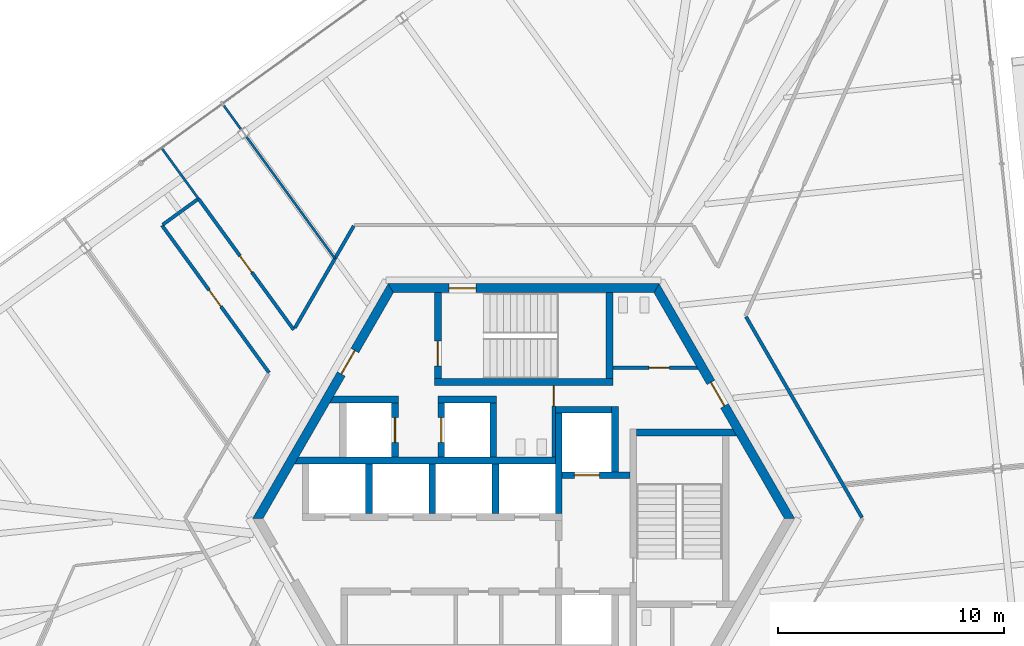
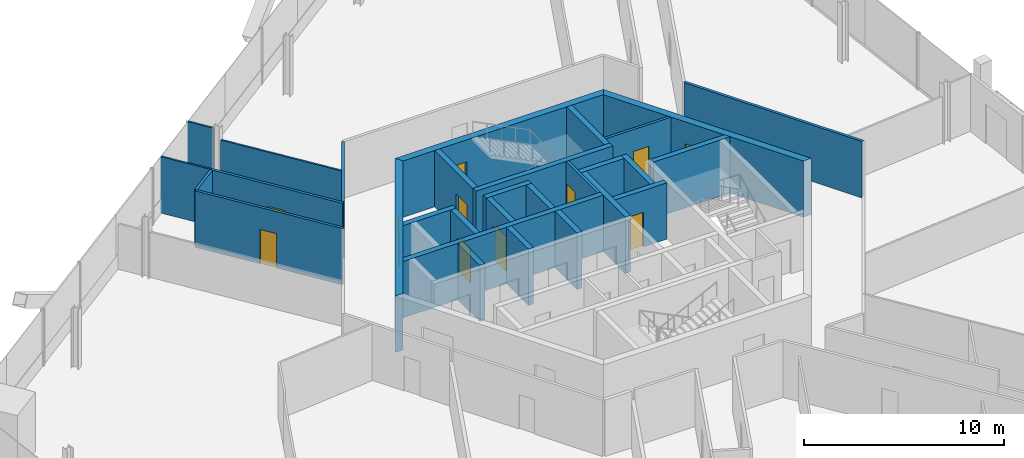
# One storey, part 13 of 18: 30 walls, 11 doors, 11 openings.
"""IFC4 building model written with IfcOpenShell, lengths in metres."""

from ifc_helpers import new_model, si_unit, direction, frame, frame_2d, origin, place, context, subcontext, project, spatial, polyline, rectangle, outline, extrude, source, transform, mapped, material, layer, layer_set, type_object, element, fill, save


model = new_model("IFC4")

# Units and contexts
model_context = context("Model", 3, precision=1e-05, world=origin(), true_north=direction((0.0, 1.0)))
body_context = subcontext(model_context, "Body", "Model", "MODEL_VIEW")
ifc_project = project(units=[si_unit("LENGTHUNIT", "METRE"), si_unit("AREAUNIT", "SQUARE_METRE"), si_unit("VOLUMEUNIT", "CUBIC_METRE"), si_unit("PLANEANGLEUNIT", "RADIAN"), si_unit("MASSUNIT", "GRAM", prefix="KILO")], contexts=[model_context])

# Site, building, storey
site_placement = place(None, origin())
site = spatial("IfcSite", under=ifc_project, at=site_placement, CompositionType="ELEMENT")
building_placement = place(site_placement, origin())
building = spatial("IfcBuilding", under=site, at=building_placement, Name="Triune Harvest Tower", CompositionType="ELEMENT")
storey_placement = place(building_placement, frame((0.0, 0.0, 83.699951171875)))
storey = spatial("IfcBuildingStorey", under=building, at=storey_placement, Name="L20", CompositionType="ELEMENT", Elevation=83.699951171875)

# Wall
ifc_material_1 = material(Name="Gypsum board on steel studs", Category="steel")
ifc_layer_1 = layer(ifc_material_1, 0.10009765625)
ifc_layer_set_1 = layer_set([ifc_layer_1], Name="Gypsum board on steel studs")
wall_type_1 = type_object("IfcWallType", Name="Partition 100 mm", PredefinedType="PARTITIONING", material=ifc_layer_set_1)
wall_1_placement = place(storey_placement, frame((-12.2880859375, 16.9130859375, 0.0), z_axis=(0.0, 0.0, 1.0), x_axis=(0.587780699175, -0.809020302389, 0.0)))
element("IfcWall", 1, at=wall_1_placement, inside=storey, type_object=wall_type_1, Name="Partition L20 017", PredefinedType="PARTITIONING", context=body_context, shape_type="SweptSolid", body=[
    extrude(rectangle(XDim=6.68408203125, YDim=0.10009765625, at=frame_2d((3.342041015625, 0.0))), origin(), (0.0, 0.0, 1.0), 2.827880859375),
])

# Wall, opening, door
ifc_material_2 = material(Name="Concrete 70 MPa", Category="concrete")
ifc_layer_2 = layer(ifc_material_2, 0.39990234375)
ifc_layer_set_2 = layer_set([ifc_layer_2], Name="Concrete 70 MPa")
wall_type_2 = type_object("IfcWallType", Name="Core wall 400", PredefinedType="SHEAR", material=ifc_layer_set_2)
shared_shape_1 = source(origin(), body_context, "Body", "SweptSolid", [
    extrude(outline(polyline([(-0.115478515625, -0.199951171875), (11.884521484375, -0.199951171875), (11.653564453125, 0.199951171875), (0.115478515625, 0.199951171875), (-0.115478515625, -0.199951171875)])), origin(), (0.0, 0.0, 1.0), 3.43994140625),
])
wall_2_placement = place(storey_placement, frame((11.76904296875, 0.0, 0.0), z_axis=(0.0, 0.0, 1.0), x_axis=(-0.499996592174, 0.866027371285, 0.0)))
wall_2 = element("IfcWall", 2, at=wall_2_placement, inside=storey, type_object=wall_type_2, Name="Hexagon 0 wall", PredefinedType="SHEAR", context=body_context, shape_type="MappedRepresentation", body=[
    mapped(shared_shape_1, transform((0.0, 0.0, 0.0), scale=1.0)),
])
opening_1_placement = place(wall_2_placement, frame((5.75048828125, 0.0, 0.0)))
opening_1 = element("IfcOpeningElement", 3, at=opening_1_placement, cuts=wall_2, Name="Opening CD-WCP", PredefinedType="OPENING", context=body_context, shape_type="SweptSolid", body=[
    extrude(rectangle(XDim=1.199951171875, YDim=2.10009765625, at=frame_2d((0.60009765625, 1.050048828125))), frame((0.0, 0.2099609375, 0.0), z_axis=(0.0, -1.0, 0.0), x_axis=(1.0, 0.0, 0.0)), (0.0, 0.0, 1.0), 0.419921875),
])
ifc_material_3 = material(Name="Steel S235", Category="steel")
door_type_1 = type_object("IfcDoorType", Name="Lobby door 1200 FD120", OperationType="SINGLE_SWING_LEFT", PredefinedType="DOOR", material=ifc_material_3)
door_1_placement = place(opening_1_placement, frame((1.199951171875, 0.0, 0.0), z_axis=(0.0, 0.0, 1.0), x_axis=(-1.0, 0.0, 0.0)))
door_1 = element("IfcDoor", 4, at=door_1_placement, inside=storey, type_object=door_type_1, Name="Door CD-WCP", OperationType="SINGLE_SWING_RIGHT", OverallHeight=2.10009765625, OverallWidth=1.199951171875, PredefinedType="DOOR", context=body_context, shape_type="SweptSolid", body=[
    extrude(rectangle(XDim=1.199951171875, YDim=2.10009765625, at=frame_2d((0.60009765625, 1.050048828125))), frame((0.0, 0.02490234375, 0.0), z_axis=(0.0, -1.0, 0.0), x_axis=(1.0, 0.0, 0.0)), (0.0, 0.0, 1.0), 0.050048828125),
])
fill(opening_1, door_1)

wall_3_placement = place(storey_placement, frame((5.884521484375, 10.1923828125, 0.0), z_axis=(0.0, 0.0, 1.0), x_axis=(-1.0, 0.0, 0.0)))
wall_3 = element("IfcWall", 5, at=wall_3_placement, inside=storey, type_object=wall_type_2, Name="Hexagon 1 wall", PredefinedType="SHEAR", context=body_context, shape_type="MappedRepresentation", body=[
    mapped(shared_shape_1, transform((0.0, 0.0, 0.0), scale=1.0)),
])
opening_2_placement = place(wall_3_placement, frame((7.984619140625, 0.0, 0.0)))
opening_2 = element("IfcOpeningElement", 6, at=opening_2_placement, cuts=wall_3, Name="Opening CD-S1P", PredefinedType="OPENING", context=body_context, shape_type="SweptSolid", body=[
    extrude(rectangle(XDim=1.199951171875, YDim=2.10009765625, at=frame_2d((0.60009765625, 1.050048828125))), frame((0.0, 0.2099609375, 0.0), z_axis=(0.0, -1.0, 0.0), x_axis=(1.0, 0.0, 0.0)), (0.0, 0.0, 1.0), 0.419921875),
])
ifc_material_4 = material(Name="Steel S235", Category="steel")
door_type_2 = type_object("IfcDoorType", Name="Stair door 1200 FD120", OperationType="SINGLE_SWING_LEFT", PredefinedType="DOOR", material=ifc_material_4)
door_2_placement = place(opening_2_placement, frame((1.199951171875, 0.0, 0.0), z_axis=(0.0, 0.0, 1.0), x_axis=(-1.0, 0.0, 0.0)))
door_2 = element("IfcDoor", 7, at=door_2_placement, inside=storey, type_object=door_type_2, Name="Door CD-S1P", OperationType="SINGLE_SWING_RIGHT", OverallHeight=2.10009765625, OverallWidth=1.199951171875, PredefinedType="DOOR", context=body_context, shape_type="SweptSolid", body=[
    extrude(rectangle(XDim=1.199951171875, YDim=2.10009765625, at=frame_2d((0.60009765625, 1.050048828125))), frame((0.0, 0.02490234375, 0.0), z_axis=(0.0, -1.0, 0.0), x_axis=(1.0, 0.0, 0.0)), (0.0, 0.0, 1.0), 0.050048828125),
])
fill(opening_2, door_2)

wall_4_placement = place(storey_placement, frame((-5.884521484375, 10.1923828125, 0.0), z_axis=(0.0, 0.0, 1.0), x_axis=(-0.499996592174, -0.866027371285, 0.0)))
wall_4 = element("IfcWall", 8, at=wall_4_placement, inside=storey, type_object=wall_type_2, Name="Hexagon 2 wall", PredefinedType="SHEAR", context=body_context, shape_type="MappedRepresentation", body=[
    mapped(shared_shape_1, transform((0.0, 0.0, 0.0), scale=1.0)),
])
opening_3_placement = place(wall_4_placement, frame((3.1845703125, 0.0, 0.0)))
opening_3 = element("IfcOpeningElement", 9, at=opening_3_placement, cuts=wall_4, Name="Opening CD-SVP", PredefinedType="OPENING", context=body_context, shape_type="SweptSolid", body=[
    extrude(rectangle(XDim=1.199951171875, YDim=2.10009765625, at=frame_2d((0.60009765625, 1.050048828125))), frame((0.0, 0.2099609375, 0.0), z_axis=(0.0, -1.0, 0.0), x_axis=(1.0, 0.0, 0.0)), (0.0, 0.0, 1.0), 0.419921875),
])
ifc_material_5 = material(Name="Steel S235", Category="steel")
door_type_3 = type_object("IfcDoorType", Name="Service door 1200 FD120", OperationType="SINGLE_SWING_LEFT", PredefinedType="DOOR", material=ifc_material_5)
door_3_placement = place(opening_3_placement, frame((1.199951171875, 0.0, 0.0), z_axis=(0.0, 0.0, 1.0), x_axis=(-1.0, 0.0, 0.0)))
door_3 = element("IfcDoor", 10, at=door_3_placement, inside=storey, type_object=door_type_3, Name="Door CD-SVP", OperationType="SINGLE_SWING_RIGHT", OverallHeight=2.10009765625, OverallWidth=1.199951171875, PredefinedType="DOOR", context=body_context, shape_type="SweptSolid", body=[
    extrude(rectangle(XDim=1.199951171875, YDim=2.10009765625, at=frame_2d((0.60009765625, 1.050048828125))), frame((0.0, 0.02490234375, 0.0), z_axis=(0.0, -1.0, 0.0), x_axis=(1.0, 0.0, 0.0)), (0.0, 0.0, 1.0), 0.050048828125),
])
fill(opening_3, door_3)

# Walls
ifc_material_6 = material(Name="Concrete 70 MPa", Category="concrete")
ifc_layer_3 = layer(ifc_material_6, 0.300048828125)
ifc_layer_set_3 = layer_set([ifc_layer_3], Name="Concrete 70 MPa")
wall_type_3 = type_object("IfcWallType", Name="Core wall 300", PredefinedType="SHEAR", material=ifc_layer_set_3)
shared_shape_2 = source(origin(), body_context, "Body", "SweptSolid", [
    extrude(outline(polyline([(11.199951171875, -0.14990234375), (-0.34912109375, -0.14990234375), (-0.17578125, 0.14990234375), (11.199951171875, 0.14990234375), (11.199951171875, -0.14990234375)])), origin(), (0.0, 0.0, 1.0), 3.43994140625),
])
wall_5_placement = place(storey_placement, frame((-9.800048828125, 2.56005859375, 0.0), z_axis=(0.0, 0.0, 1.0), x_axis=(1.0, 0.0, 0.0)))
element("IfcWall", 11, at=wall_5_placement, inside=storey, type_object=wall_type_3, Name="North back wall", PredefinedType="SHEAR", context=body_context, shape_type="MappedRepresentation", body=[
    mapped(shared_shape_2, transform((0.0, 0.0, 0.0), scale=1.0)),
])
shared_shape_3 = source(origin(), body_context, "Body", "SweptSolid", [
    extrude(rectangle(XDim=2.5, YDim=0.300048828125, at=frame_2d((1.25, 0.0))), origin(), (0.0, 0.0, 1.0), 3.43994140625),
])
wall_6_placement = place(storey_placement, frame((1.39990234375, 4.81005859375, 0.0), z_axis=(0.0, 0.0, 1.0), x_axis=(1.0, 0.0, 0.0)))
element("IfcWall", 12, at=wall_6_placement, inside=storey, type_object=wall_type_3, Name="Ff1 back wall", PredefinedType="SHEAR", context=body_context, shape_type="MappedRepresentation", body=[
    mapped(shared_shape_3, transform((0.0, 0.0, 0.0), scale=1.0)),
])
shared_shape_4 = source(origin(), body_context, "Body", "SweptSolid", [
    extrude(rectangle(XDim=4.449951171875, YDim=0.300048828125, at=frame_2d((2.22509765625, 0.0))), origin(), (0.0, 0.0, 1.0), 3.43994140625),
])
wall_7_placement = place(storey_placement, frame((1.550048828125, 0.2099609375, 0.0), z_axis=(0.0, 0.0, 1.0), x_axis=(0.0, 1.0, 0.0)))
element("IfcWall", 13, at=wall_7_placement, inside=storey, type_object=wall_type_3, Name="Ff1 west wall", PredefinedType="SHEAR", context=body_context, shape_type="MappedRepresentation", body=[
    mapped(shared_shape_4, transform((0.0, 0.0, 0.0), scale=1.0)),
])

# Wall, opening, door
shared_shape_5 = source(origin(), body_context, "Body", "SweptSolid", [
    extrude(rectangle(XDim=3.0, YDim=0.300048828125, at=frame_2d((1.5, 0.0))), origin(), (0.0, 0.0, 1.0), 3.43994140625),
])
wall_8_placement = place(storey_placement, frame((1.699951171875, 1.909912109375, 0.0), z_axis=(0.0, 0.0, 1.0), x_axis=(1.0, 0.0, 0.0)))
wall_8 = element("IfcWall", 14, at=wall_8_placement, inside=storey, type_object=wall_type_3, Name="Ff1 front wall", PredefinedType="SHEAR", context=body_context, shape_type="MappedRepresentation", body=[
    mapped(shared_shape_5, transform((0.0, 0.0, 0.0), scale=1.0)),
])
opening_4_placement = place(wall_8_placement, frame((0.550048828125, 0.0, 0.0)))
opening_4 = element("IfcOpeningElement", 15, at=opening_4_placement, cuts=wall_8, Name="Opening LD-FF1-20", PredefinedType="OPENING", context=body_context, shape_type="SweptSolid", body=[
    extrude(rectangle(XDim=1.10009765625, YDim=2.10009765625, at=frame_2d((0.550048828125, 1.050048828125))), frame((0.0, 0.16015625, 0.0), z_axis=(0.0, -1.0, 0.0), x_axis=(1.0, 0.0, 0.0)), (0.0, 0.0, 1.0), 0.320068359375),
])
ifc_material_7 = material(Name="Stainless steel AISI 304", Category="steel")
door_type_4 = type_object("IfcDoorType", Name="Landing door 1100 x 2100", OperationType="DOUBLE_DOOR_SLIDING", PredefinedType="DOOR", material=ifc_material_7)
door_4_placement = place(opening_4_placement, origin())
door_4 = element("IfcDoor", 16, at=door_4_placement, inside=storey, type_object=door_type_4, Name="Door LD-FF1-20", OperationType="DOUBLE_DOOR_SLIDING", OverallHeight=2.10009765625, OverallWidth=1.10009765625, PredefinedType="DOOR", context=body_context, shape_type="SweptSolid", body=[
    extrude(rectangle(XDim=1.10009765625, YDim=2.10009765625, at=frame_2d((0.550048828125, 1.050048828125))), frame((0.0, 0.02490234375, 0.0), z_axis=(0.0, -1.0, 0.0), x_axis=(1.0, 0.0, 0.0)), (0.0, 0.0, 1.0), 0.050048828125),
])
fill(opening_4, door_4)

# Walls
shared_shape_6 = source(origin(), body_context, "Body", "SweptSolid", [
    extrude(rectangle(XDim=2.89990234375, YDim=0.300048828125, at=frame_2d((1.449951171875, 0.0))), origin(), (0.0, 0.0, 1.0), 3.43994140625),
])
wall_9_placement = place(storey_placement, frame((4.050048828125, 2.06005859375, 0.0), z_axis=(0.0, 0.0, 1.0), x_axis=(0.0, 1.0, 0.0)))
element("IfcWall", 17, at=wall_9_placement, inside=storey, type_object=wall_type_3, Name="Ff1 east wall", PredefinedType="SHEAR", context=body_context, shape_type="MappedRepresentation", body=[
    mapped(shared_shape_6, transform((0.0, 0.0, 0.0), scale=1.0)),
])
shared_shape_7 = source(origin(), body_context, "Body", "SweptSolid", [
    extrude(rectangle(XDim=2.199951171875, YDim=0.300048828125, at=frame_2d((1.10009765625, 0.0))), origin(), (0.0, 0.0, 1.0), 3.43994140625),
])
for number, where, z_axis, x_axis, name in (
    (18, (-6.85009765625, 0.2099609375, 0.0), (0.0, 0.0, 1.0), (0.0, 1.0, 0.0), "North cross 1 wall"),
    (19, (-4.050048828125, 0.2099609375, 0.0), (0.0, 0.0, 1.0), (0.0, 1.0, 0.0), "North cross 2 wall"),
    (20, (-1.25, 0.2099609375, 0.0), (0.0, 0.0, 1.0), (0.0, 1.0, 0.0), "North cross 3 wall"),
):
    element("IfcWall", number, at=place(storey_placement, frame(where, z_axis=z_axis, x_axis=x_axis)), inside=storey, type_object=wall_type_3, Name=name, PredefinedType="SHEAR", context=body_context, shape_type="MappedRepresentation", body=[
        mapped(shared_shape_7, transform((0.0, 0.0, 0.0), scale=1.0)),
    ])
shared_shape_8 = source(origin(), body_context, "Body", "SweptSolid", [
    extrude(outline(polyline([(0.0, -0.14990234375), (0.0, 0.14990234375), (4.260009765625, 0.14990234375), (4.43310546875, -0.14990234375), (0.0, -0.14990234375)])), origin(), (0.0, 0.0, 1.0), 3.43994140625),
])
wall_10_placement = place(storey_placement, frame((5.0, 3.800048828125, 0.0), z_axis=(0.0, 0.0, 1.0), x_axis=(1.0, 0.0, 0.0)))
element("IfcWall", 21, at=wall_10_placement, inside=storey, type_object=wall_type_3, Name="Stair e north wall", PredefinedType="SHEAR", context=body_context, shape_type="MappedRepresentation", body=[
    mapped(shared_shape_8, transform((0.0, 0.0, 0.0), scale=1.0)),
])
shared_shape_9 = source(origin(), body_context, "Body", "SweptSolid", [
    extrude(rectangle(XDim=7.89990234375, YDim=0.300048828125, at=frame_2d((3.949951171875, 0.0))), origin(), (0.0, 0.0, 1.0), 3.43994140625),
])
wall_11_placement = place(storey_placement, frame((-3.949951171875, 6.0400390625, 0.0), z_axis=(0.0, 0.0, 1.0), x_axis=(1.0, 0.0, 0.0)))
element("IfcWall", 22, at=wall_11_placement, inside=storey, type_object=wall_type_3, Name="Stair n south wall", PredefinedType="SHEAR", context=body_context, shape_type="MappedRepresentation", body=[
    mapped(shared_shape_9, transform((0.0, 0.0, 0.0), scale=1.0)),
])

# Wall, opening, door
shared_shape_10 = source(origin(), body_context, "Body", "SweptSolid", [
    extrude(outline(polyline([(0.0, -0.14990234375), (0.0, 0.14990234375), (3.80419921875, 0.14990234375), (3.80419921875, -0.14990234375), (0.0, -0.14990234375)])), origin(), (0.0, 0.0, 1.0), 3.43994140625),
])
wall_12_placement = place(storey_placement, frame((-3.800048828125, 6.18994140625, 0.0), z_axis=(0.0, 0.0, 1.0), x_axis=(0.0, 1.0, 0.0)))
wall_12 = element("IfcWall", 23, at=wall_12_placement, inside=storey, type_object=wall_type_3, Name="Stair n west wall", PredefinedType="SHEAR", context=body_context, shape_type="MappedRepresentation", body=[
    mapped(shared_shape_10, transform((0.0, 0.0, 0.0), scale=1.0)),
])
opening_5_placement = place(wall_12_placement, frame((0.56005859375, 0.0, 0.0)))
opening_5 = element("IfcOpeningElement", 24, at=opening_5_placement, cuts=wall_12, Name="Opening CD-S1L", PredefinedType="OPENING", context=body_context, shape_type="SweptSolid", body=[
    extrude(rectangle(XDim=1.10009765625, YDim=2.10009765625, at=frame_2d((0.550048828125, 1.050048828125))), frame((0.0, 0.16015625, 0.0), z_axis=(0.0, -1.0, 0.0), x_axis=(1.0, 0.0, 0.0)), (0.0, 0.0, 1.0), 0.320068359375),
])
ifc_material_8 = material(Name="Steel S235", Category="steel")
door_type_5 = type_object("IfcDoorType", Name="Stair door 1100 FD120", OperationType="SINGLE_SWING_LEFT", PredefinedType="DOOR", material=ifc_material_8)
door_5_placement = place(opening_5_placement, frame((1.10009765625, 0.0, 0.0), z_axis=(0.0, 0.0, 1.0), x_axis=(-1.0, 0.0, 0.0)))
door_5 = element("IfcDoor", 25, at=door_5_placement, inside=storey, type_object=door_type_5, Name="Door CD-S1L", OperationType="SINGLE_SWING_RIGHT", OverallHeight=2.10009765625, OverallWidth=1.10009765625, PredefinedType="DOOR", context=body_context, shape_type="SweptSolid", body=[
    extrude(rectangle(XDim=1.10009765625, YDim=2.10009765625, at=frame_2d((0.550048828125, 1.050048828125))), frame((0.0, 0.02490234375, 0.0), z_axis=(0.0, -1.0, 0.0), x_axis=(1.0, 0.0, 0.0)), (0.0, 0.0, 1.0), 0.050048828125),
])
fill(opening_5, door_5)

# Walls
wall_13_placement = place(storey_placement, frame((3.800048828125, 6.18994140625, 0.0), z_axis=(0.0, 0.0, 1.0), x_axis=(0.0, 1.0, 0.0)))
element("IfcWall", 26, at=wall_13_placement, inside=storey, type_object=wall_type_3, Name="Stair n east wall", PredefinedType="SHEAR", context=body_context, shape_type="MappedRepresentation", body=[
    mapped(shared_shape_10, transform((0.0, 0.0, 0.0), scale=1.0)),
])
shared_shape_11 = source(origin(), body_context, "Body", "SweptSolid", [
    extrude(outline(polyline([(2.60009765625, -0.14990234375), (-0.440185546875, -0.14990234375), (-0.26708984375, 0.14990234375), (2.60009765625, 0.14990234375), (2.60009765625, -0.14990234375)])), origin(), (0.0, 0.0, 1.0), 3.43994140625),
])
wall_14_placement = place(storey_placement, frame((-8.14990234375, 5.260009765625, 0.0), z_axis=(0.0, 0.0, 1.0), x_axis=(1.0, 0.0, 0.0)))
element("IfcWall", 27, at=wall_14_placement, inside=storey, type_object=wall_type_3, Name="Sv1 north wall", PredefinedType="SHEAR", context=body_context, shape_type="MappedRepresentation", body=[
    mapped(shared_shape_11, transform((0.0, 0.0, 0.0), scale=1.0)),
])

# Wall, opening, door
shared_shape_12 = source(origin(), body_context, "Body", "SweptSolid", [
    extrude(rectangle(XDim=2.400146484375, YDim=0.300048828125, at=frame_2d((1.2001953125, 0.0))), origin(), (0.0, 0.0, 1.0), 3.43994140625),
])
wall_15_placement = place(storey_placement, frame((-5.699951171875, 2.7099609375, 0.0), z_axis=(0.0, 0.0, 1.0), x_axis=(0.0, 1.0, 0.0)))
wall_15 = element("IfcWall", 28, at=wall_15_placement, inside=storey, type_object=wall_type_3, Name="Sv1 east wall", PredefinedType="SHEAR", context=body_context, shape_type="MappedRepresentation", body=[
    mapped(shared_shape_12, transform((0.0, 0.0, 0.0), scale=1.0)),
])
opening_6_placement = place(wall_15_placement, frame((0.64990234375, 0.0, 0.0)))
opening_6 = element("IfcOpeningElement", 29, at=opening_6_placement, cuts=wall_15, Name="Opening LD-SV1-20", PredefinedType="OPENING", context=body_context, shape_type="SweptSolid", body=[
    extrude(rectangle(XDim=1.10009765625, YDim=2.10009765625, at=frame_2d((0.550048828125, 1.050048828125))), frame((0.0, 0.16015625, 0.0), z_axis=(0.0, -1.0, 0.0), x_axis=(1.0, 0.0, 0.0)), (0.0, 0.0, 1.0), 0.320068359375),
])
door_6_placement = place(opening_6_placement, origin())
door_6 = element("IfcDoor", 30, at=door_6_placement, inside=storey, type_object=door_type_4, Name="Door LD-SV1-20", OperationType="DOUBLE_DOOR_SLIDING", OverallHeight=2.10009765625, OverallWidth=1.10009765625, PredefinedType="DOOR", context=body_context, shape_type="SweptSolid", body=[
    extrude(rectangle(XDim=1.10009765625, YDim=2.10009765625, at=frame_2d((0.550048828125, 1.050048828125))), frame((0.0, 0.02490234375, 0.0), z_axis=(0.0, -1.0, 0.0), x_axis=(1.0, 0.0, 0.0)), (0.0, 0.0, 1.0), 0.050048828125),
])
fill(opening_6, door_6)

wall_16_placement = place(storey_placement, frame((-3.64990234375, 2.7099609375, 0.0), z_axis=(0.0, 0.0, 1.0), x_axis=(0.0, 1.0, 0.0)))
wall_16 = element("IfcWall", 31, at=wall_16_placement, inside=storey, type_object=wall_type_3, Name="Sv2 west wall", PredefinedType="SHEAR", context=body_context, shape_type="MappedRepresentation", body=[
    mapped(shared_shape_12, transform((0.0, 0.0, 0.0), scale=1.0)),
])
opening_7_placement = place(wall_16_placement, frame((0.64990234375, 0.0, 0.0)))
opening_7 = element("IfcOpeningElement", 32, at=opening_7_placement, cuts=wall_16, Name="Opening LD-SV2-20", PredefinedType="OPENING", context=body_context, shape_type="SweptSolid", body=[
    extrude(rectangle(XDim=1.10009765625, YDim=2.10009765625, at=frame_2d((0.550048828125, 1.050048828125))), frame((0.0, 0.16015625, 0.0), z_axis=(0.0, -1.0, 0.0), x_axis=(1.0, 0.0, 0.0)), (0.0, 0.0, 1.0), 0.320068359375),
])
door_7_placement = place(opening_7_placement, origin())
door_7 = element("IfcDoor", 33, at=door_7_placement, inside=storey, type_object=door_type_4, Name="Door LD-SV2-20", OperationType="DOUBLE_DOOR_SLIDING", OverallHeight=2.10009765625, OverallWidth=1.10009765625, PredefinedType="DOOR", context=body_context, shape_type="SweptSolid", body=[
    extrude(rectangle(XDim=1.10009765625, YDim=2.10009765625, at=frame_2d((0.550048828125, 1.050048828125))), frame((0.0, 0.02490234375, 0.0), z_axis=(0.0, -1.0, 0.0), x_axis=(1.0, 0.0, 0.0)), (0.0, 0.0, 1.0), 0.050048828125),
])
fill(opening_7, door_7)

# Walls
wall_17_placement = place(storey_placement, frame((-1.35009765625, 2.7099609375, 0.0), z_axis=(0.0, 0.0, 1.0), x_axis=(0.0, 1.0, 0.0)))
element("IfcWall", 34, at=wall_17_placement, inside=storey, type_object=wall_type_3, Name="Sv2 east wall", PredefinedType="SHEAR", context=body_context, shape_type="MappedRepresentation", body=[
    mapped(shared_shape_12, transform((0.0, 0.0, 0.0), scale=1.0)),
])
shared_shape_13 = source(origin(), body_context, "Body", "SweptSolid", [
    extrude(rectangle(XDim=2.60009765625, YDim=0.300048828125, at=frame_2d((1.300048828125, 0.0))), origin(), (0.0, 0.0, 1.0), 3.43994140625),
])
wall_18_placement = place(storey_placement, frame((-3.800048828125, 5.260009765625, 0.0), z_axis=(0.0, 0.0, 1.0), x_axis=(1.0, 0.0, 0.0)))
element("IfcWall", 35, at=wall_18_placement, inside=storey, type_object=wall_type_3, Name="Sv2 north wall", PredefinedType="SHEAR", context=body_context, shape_type="MappedRepresentation", body=[
    mapped(shared_shape_13, transform((0.0, 0.0, 0.0), scale=1.0)),
])

# Wall, opening, door
ifc_material_9 = material(Name="Concrete masonry unit", Category="masonry")
ifc_layer_4 = layer(ifc_material_9, 0.14990234375)
ifc_layer_set_4 = layer_set([ifc_layer_4], Name="Concrete masonry unit")
wall_type_4 = type_object("IfcWallType", Name="Block partition 150 unrated", PredefinedType="PARTITIONING", material=ifc_layer_set_4)
shared_shape_14 = source(origin(), body_context, "Body", "SweptSolid", [
    extrude(rectangle(XDim=3.179931640625, YDim=0.14990234375, at=frame_2d((1.58984375, 0.0))), origin(), (0.0, 0.0, 1.0), 3.43994140625),
])
wall_19_placement = place(storey_placement, frame((1.324951171875, 2.7099609375, 0.0), z_axis=(0.0, 0.0, 1.0), x_axis=(0.0, 1.0, 0.0)))
wall_19 = element("IfcWall", 36, at=wall_19_placement, inside=storey, type_object=wall_type_4, Name="Wc men east wall", PredefinedType="PARTITIONING", context=body_context, shape_type="MappedRepresentation", body=[
    mapped(shared_shape_14, transform((0.0, 0.0, 0.0), scale=1.0)),
])
opening_8_placement = place(wall_19_placement, frame((2.264892578125, 0.0, 0.0)))
opening_8 = element("IfcOpeningElement", 37, at=opening_8_placement, cuts=wall_19, Name="Opening CD-WM", PredefinedType="OPENING", context=body_context, shape_type="SweptSolid", body=[
    extrude(rectangle(XDim=0.89990234375, YDim=2.10009765625, at=frame_2d((0.449951171875, 1.050048828125))), frame((0.0, 0.0849609375, 0.0), z_axis=(0.0, -1.0, 0.0), x_axis=(1.0, 0.0, 0.0)), (0.0, 0.0, 1.0), 0.169921875),
])
ifc_material_10 = material(Name="Timber C24", Category="wood")
door_type_6 = type_object("IfcDoorType", Name="WC door 900", OperationType="SINGLE_SWING_LEFT", PredefinedType="DOOR", material=ifc_material_10)
door_8_placement = place(opening_8_placement, origin())
door_8 = element("IfcDoor", 38, at=door_8_placement, inside=storey, type_object=door_type_6, Name="Door CD-WM", OperationType="SINGLE_SWING_LEFT", OverallHeight=2.10009765625, OverallWidth=0.89990234375, PredefinedType="DOOR", context=body_context, shape_type="SweptSolid", body=[
    extrude(rectangle(XDim=0.89990234375, YDim=2.10009765625, at=frame_2d((0.449951171875, 1.050048828125))), frame((0.0, 0.02490234375, 0.0), z_axis=(0.0, -1.0, 0.0), x_axis=(1.0, 0.0, 0.0)), (0.0, 0.0, 1.0), 0.050048828125),
])
fill(opening_8, door_8)

shared_shape_15 = source(origin(), body_context, "Body", "SweptSolid", [
    extrude(outline(polyline([(0.0, -0.074951171875), (0.0, 0.074951171875), (3.693359375, 0.074951171875), (3.77978515625, -0.074951171875), (0.0, -0.074951171875)])), origin(), (0.0, 0.0, 1.0), 3.43994140625),
])
wall_20_placement = place(storey_placement, frame((3.949951171875, 6.675048828125, 0.0), z_axis=(0.0, 0.0, 1.0), x_axis=(1.0, 0.0, 0.0)))
wall_20 = element("IfcWall", 39, at=wall_20_placement, inside=storey, type_object=wall_type_4, Name="Wc women south wall", PredefinedType="PARTITIONING", context=body_context, shape_type="MappedRepresentation", body=[
    mapped(shared_shape_15, transform((0.0, 0.0, 0.0), scale=1.0)),
])
opening_9_placement = place(wall_20_placement, frame((1.60009765625, 0.0, 0.0)))
opening_9 = element("IfcOpeningElement", 40, at=opening_9_placement, cuts=wall_20, Name="Opening CD-WW", PredefinedType="OPENING", context=body_context, shape_type="SweptSolid", body=[
    extrude(rectangle(XDim=0.89990234375, YDim=2.10009765625, at=frame_2d((0.449951171875, 1.050048828125))), frame((0.0, 0.0849609375, 0.0), z_axis=(0.0, -1.0, 0.0), x_axis=(1.0, 0.0, 0.0)), (0.0, 0.0, 1.0), 0.169921875),
])
door_9_placement = place(opening_9_placement, origin())
door_9 = element("IfcDoor", 41, at=door_9_placement, inside=storey, type_object=door_type_6, Name="Door CD-WW", OperationType="SINGLE_SWING_LEFT", OverallHeight=2.10009765625, OverallWidth=0.89990234375, PredefinedType="DOOR", context=body_context, shape_type="SweptSolid", body=[
    extrude(rectangle(XDim=0.89990234375, YDim=2.10009765625, at=frame_2d((0.449951171875, 1.050048828125))), frame((0.0, 0.02490234375, 0.0), z_axis=(0.0, -1.0, 0.0), x_axis=(1.0, 0.0, 0.0)), (0.0, 0.0, 1.0), 0.050048828125),
])
fill(opening_9, door_9)

# Walls
shared_shape_16 = source(origin(), body_context, "Body", "SweptSolid", [
    extrude(rectangle(XDim=1.418212890625, YDim=0.10009765625, at=frame_2d((0.708984375, 0.0))), origin(), (0.0, 0.0, 1.0), 3.43994140625),
])
wall_21_placement = place(storey_placement, frame((-13.34130859375, 18.36279296875, 0.0), z_axis=(0.0, 0.0, 1.0), x_axis=(0.587700759977, -0.809078374895, 0.0)))
element("IfcWall", 42, at=wall_21_placement, inside=storey, type_object=wall_type_1, Name="Partition L20 016", PredefinedType="PARTITIONING", context=body_context, shape_type="MappedRepresentation", body=[
    mapped(shared_shape_16, transform((0.0, 0.0, 0.0), scale=1.0)),
])
shared_shape_17 = source(origin(), body_context, "Body", "SweptSolid", [
    extrude(rectangle(XDim=2.7802734375, YDim=0.10009765625, at=frame_2d((1.39013671875, 0.0))), origin(), (0.0, 0.0, 1.0), 3.43994140625),
])
wall_22_placement = place(storey_placement, frame((-16.03662109375, 16.40478515625, 0.0), z_axis=(0.0, 0.0, 1.0), x_axis=(0.587806154415, -0.809001807682, 0.0)))
element("IfcWall", 43, at=wall_22_placement, inside=storey, type_object=wall_type_1, Name="Partition L20 012", PredefinedType="PARTITIONING", context=body_context, shape_type="MappedRepresentation", body=[
    mapped(shared_shape_17, transform((0.0, 0.0, 0.0), scale=1.0)),
])
ifc_material_11 = material(Name="Gypsum board on steel studs", Category="steel")
ifc_layer_5 = layer(ifc_material_11, 0.14990234375)
ifc_layer_set_5 = layer_set([ifc_layer_5], Name="Gypsum board on steel studs")
wall_type_5 = type_object("IfcWallType", Name="Fire Partition 150 mm", PredefinedType="PARTITIONING", material=ifc_layer_set_5)
shared_shape_18 = source(origin(), body_context, "Body", "SweptSolid", [
    extrude(rectangle(XDim=10.27099609375, YDim=0.14990234375, at=frame_2d((5.135498046875, 0.0))), origin(), (0.0, 0.0, 1.0), 3.43994140625),
])
wall_23_placement = place(storey_placement, frame((9.8466796875, 8.9296875, 0.0), z_axis=(0.0, 0.0, 1.0), x_axis=(0.499996796291, -0.866027253439, 0.0)))
element("IfcWall", 44, at=wall_23_placement, inside=storey, type_object=wall_type_5, Name="Partition L20 007", PredefinedType="PARTITIONING", context=body_context, shape_type="MappedRepresentation", body=[
    mapped(shared_shape_18, transform((0.0, 0.0, 0.0), scale=1.0)),
])

# Wall, opening, door
shared_shape_19 = source(origin(), body_context, "Body", "SweptSolid", [
    extrude(rectangle(XDim=8.0693359375, YDim=0.14990234375, at=frame_2d((4.03466796875, 0.0))), origin(), (0.0, 0.0, 1.0), 3.43994140625),
])
wall_24_placement = place(storey_placement, frame((-16.020263671875, 12.97998046875, 0.0), z_axis=(0.0, 0.0, 1.0), x_axis=(0.587804645585, -0.809002903968, 0.0)))
wall_24 = element("IfcWall", 45, at=wall_24_placement, inside=storey, type_object=wall_type_5, Name="Partition L20 010", PredefinedType="PARTITIONING", context=body_context, shape_type="MappedRepresentation", body=[
    mapped(shared_shape_19, transform((0.0, 0.0, 0.0), scale=1.0)),
])
opening_10_placement = place(wall_24_placement, frame((3.549072265625, 0.0, 0.0)))
opening_10 = element("IfcOpeningElement", 46, at=opening_10_placement, cuts=wall_24, Name="Opening L20-009", PredefinedType="OPENING", context=body_context, shape_type="SweptSolid", body=[
    extrude(rectangle(XDim=0.89990234375, YDim=2.10009765625, at=frame_2d((0.449951171875, 1.050048828125))), frame((0.0, 0.0849609375, 0.0), z_axis=(0.0, -1.0, 0.0), x_axis=(1.0, 0.0, 0.0)), (0.0, 0.0, 1.0), 0.169921875),
])
ifc_material_12 = material(Name="Timber and steel door set", Category="steel")
door_type_7 = type_object("IfcDoorType", Name="Single leaf door FD30 right hand 900 x 2100", OperationType="SINGLE_SWING_RIGHT", PredefinedType="DOOR", material=ifc_material_12)
door_10_placement = place(opening_10_placement, origin())
door_10 = element("IfcDoor", 47, at=door_10_placement, inside=storey, type_object=door_type_7, Name="Door L20-009 Meeting Room 20.09", OperationType="SINGLE_SWING_RIGHT", OverallHeight=2.10009765625, OverallWidth=0.89990234375, PredefinedType="DOOR", context=body_context, shape_type="SweptSolid", body=[
    extrude(rectangle(XDim=0.89990234375, YDim=2.10009765625, at=frame_2d((0.449951171875, 1.050048828125))), frame((0.0, 0.02490234375, 0.0), z_axis=(0.0, -1.0, 0.0), x_axis=(1.0, 0.0, 0.0)), (0.0, 0.0, 1.0), 0.050048828125),
])
fill(opening_10, door_10)

shared_shape_20 = source(origin(), body_context, "Body", "SweptSolid", [
    extrude(rectangle(XDim=7.178955078125, YDim=0.14990234375, at=frame_2d((3.58935546875, 0.0))), origin(), (0.0, 0.0, 1.0), 3.43994140625),
])
wall_25_placement = place(storey_placement, frame((-14.40234375, 14.155517578125, 0.0), z_axis=(0.0, 0.0, 1.0), x_axis=(0.587791480209, -0.809012469492, 0.0)))
wall_25 = element("IfcWall", 48, at=wall_25_placement, inside=storey, type_object=wall_type_5, Name="Partition L20 013", PredefinedType="PARTITIONING", context=body_context, shape_type="MappedRepresentation", body=[
    mapped(shared_shape_20, transform((0.0, 0.0, 0.0), scale=1.0)),
])
opening_11_placement = place(wall_25_placement, frame((3.12890625, 0.0, 0.0)))
opening_11 = element("IfcOpeningElement", 49, at=opening_11_placement, cuts=wall_25, Name="Opening L20-010", PredefinedType="OPENING", context=body_context, shape_type="SweptSolid", body=[
    extrude(rectangle(XDim=0.89990234375, YDim=2.10009765625, at=frame_2d((0.449951171875, 1.050048828125))), frame((0.0, 0.0849609375, 0.0), z_axis=(0.0, -1.0, 0.0), x_axis=(1.0, 0.0, 0.0)), (0.0, 0.0, 1.0), 0.169921875),
])
ifc_material_13 = material(Name="Timber and steel door set", Category="steel")
door_type_8 = type_object("IfcDoorType", Name="Single leaf door FD30 left hand 900 x 2100", OperationType="SINGLE_SWING_LEFT", PredefinedType="DOOR", material=ifc_material_13)
door_11_placement = place(opening_11_placement, origin())
door_11 = element("IfcDoor", 50, at=door_11_placement, inside=storey, type_object=door_type_8, Name="Door L20-010 Office 20.10", OperationType="SINGLE_SWING_LEFT", OverallHeight=2.10009765625, OverallWidth=0.89990234375, PredefinedType="DOOR", context=body_context, shape_type="SweptSolid", body=[
    extrude(rectangle(XDim=0.89990234375, YDim=2.10009765625, at=frame_2d((0.449951171875, 1.050048828125))), frame((0.0, 0.02490234375, 0.0), z_axis=(0.0, -1.0, 0.0), x_axis=(1.0, 0.0, 0.0)), (0.0, 0.0, 1.0), 0.050048828125),
])
fill(opening_11, door_11)

# Walls
shared_shape_21 = source(origin(), body_context, "Body", "SweptSolid", [
    extrude(rectangle(XDim=1.89013671875, YDim=0.14990234375, at=frame_2d((0.945068359375, 0.0))), origin(), (0.0, 0.0, 1.0), 3.43994140625),
])
wall_26_placement = place(storey_placement, frame((-15.979736328125, 13.009521484375, 0.0), z_axis=(0.0, 0.0, 1.0), x_axis=(0.808976198647, 0.587841398698, 0.0)))
element("IfcWall", 51, at=wall_26_placement, inside=storey, type_object=wall_type_5, Name="Partition L20 038", PredefinedType="PARTITIONING", context=body_context, shape_type="MappedRepresentation", body=[
    mapped(shared_shape_21, transform((0.0, 0.0, 0.0), scale=1.0)),
])
shared_shape_22 = source(origin(), body_context, "Body", "SweptSolid", [
    extrude(rectangle(XDim=5.21337890625, YDim=0.14990234375, at=frame_2d((2.606689453125, 0.0))), origin(), (0.0, 0.0, 1.0), 3.43994140625),
])
wall_27_placement = place(storey_placement, frame((-10.132568359375, 8.434326171875, 0.0), z_axis=(0.0, 0.0, 1.0), x_axis=(0.500002159037, 0.86602415726, 0.0)))
element("IfcWall", 52, at=wall_27_placement, inside=storey, type_object=wall_type_5, Name="Partition L20 041", PredefinedType="PARTITIONING", context=body_context, shape_type="MappedRepresentation", body=[
    mapped(shared_shape_22, transform((0.0, 0.0, 0.0), scale=1.0)),
])

save(model, "model.ifc")
